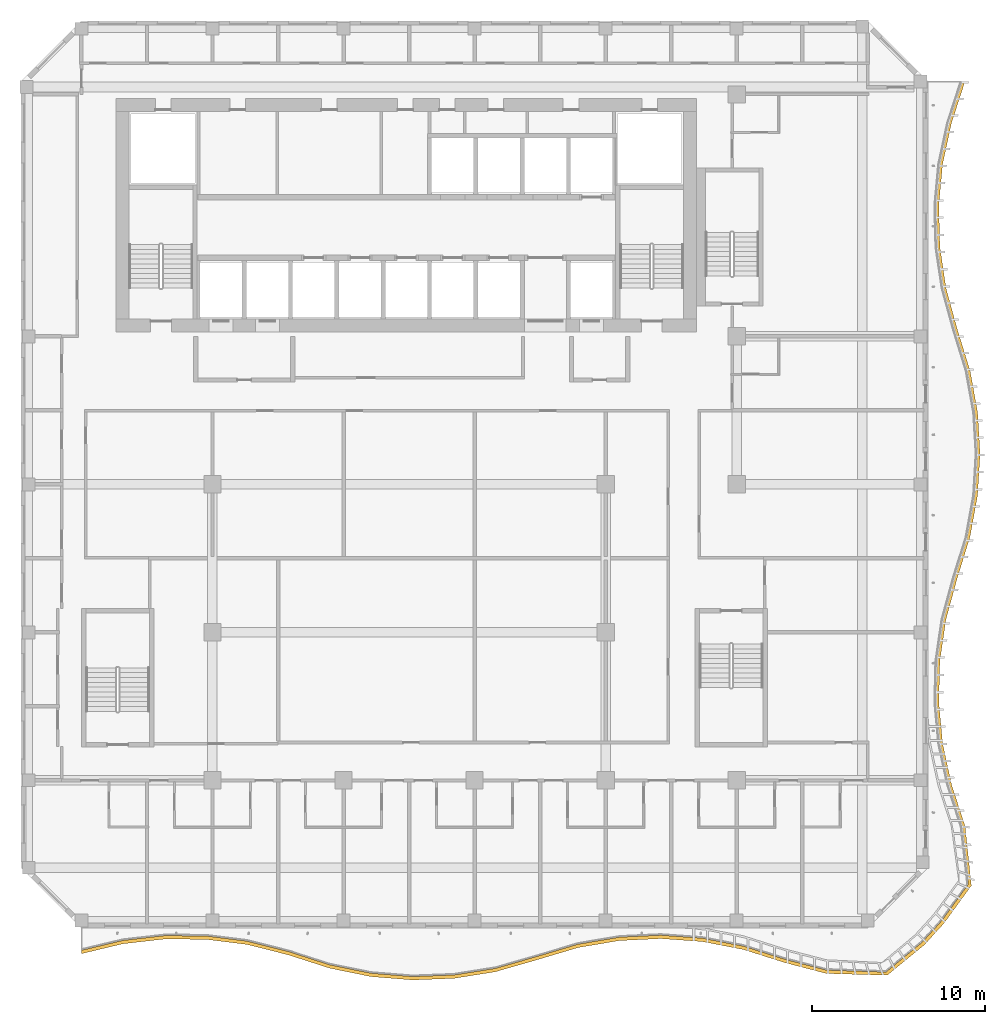
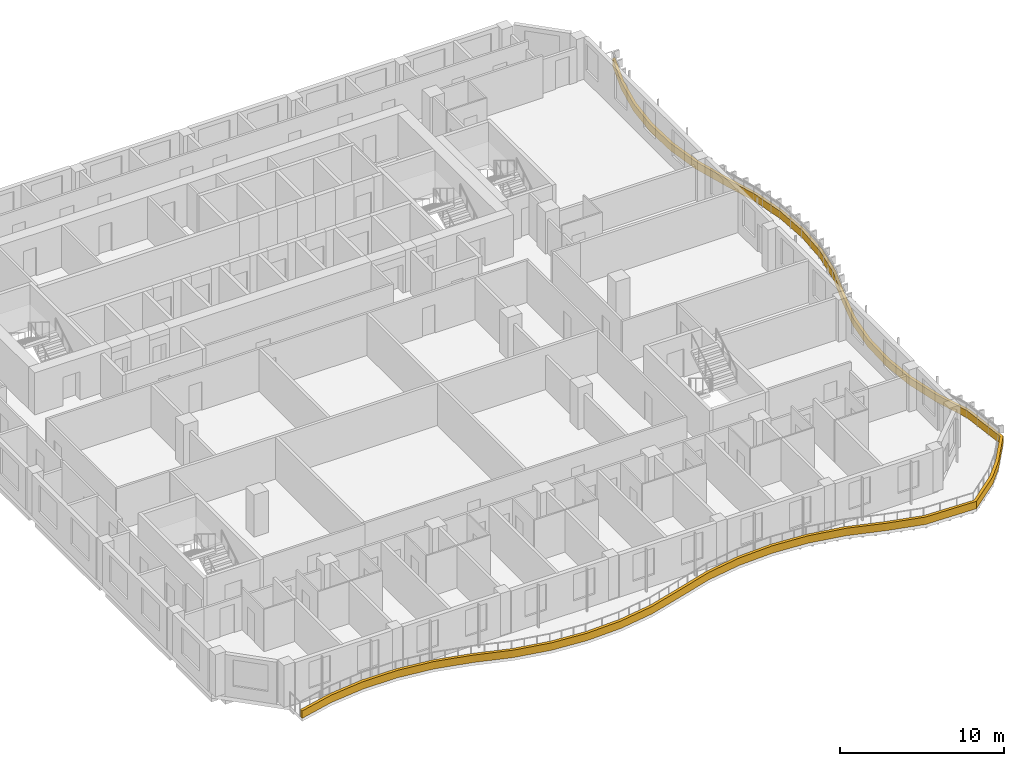
# One storey, part 17 of 23: 1 shading device.
"""IFC4 building model written with IfcOpenShell, lengths in metres."""

from ifc_helpers import new_model, si_unit, direction, frame, origin, place, context, subcontext, project, spatial, polyline, outline, extrude, source, transform, mapped, material, layer, layer_set, type_object, element, save


model = new_model("IFC4")

# Units and contexts
model_context = context("Model", 3, precision=1e-05, world=origin(), true_north=direction((0.0, 1.0)))
body_context = subcontext(model_context, "Body", "Model", "MODEL_VIEW")
ifc_project = project(units=[si_unit("LENGTHUNIT", "METRE"), si_unit("AREAUNIT", "SQUARE_METRE"), si_unit("VOLUMEUNIT", "CUBIC_METRE"), si_unit("PLANEANGLEUNIT", "RADIAN"), si_unit("MASSUNIT", "GRAM", prefix="KILO")], contexts=[model_context])

# Site, building, storey
site_placement = place(None, origin())
site = spatial("IfcSite", under=ifc_project, at=site_placement, CompositionType="ELEMENT")
building_placement = place(site_placement, origin())
building = spatial("IfcBuilding", under=site, at=building_placement, Name="Kilnfold Tower and Market Hall", CompositionType="ELEMENT")
storey_placement = place(building_placement, frame((0.0, 0.0, 203.300048828125)))
storey = spatial("IfcBuildingStorey", under=building, at=storey_placement, Name="L49", CompositionType="ELEMENT", Elevation=203.300048828125)

# Shading device
ifc_material = material(Name="Precast concrete C50/60", Category="concrete")
ifc_layer = layer(ifc_material, 0.550048828125)
ifc_layer_set = layer_set([ifc_layer], Name="Precast concrete C50/60")
shading_device_type = type_object("IfcShadingDeviceType", Name="BALCONY UPSTAND 550", PredefinedType="USERDEFINED", material=ifc_layer_set)
shared_shape = source(origin(), body_context, "Body", "SweptSolid", [
    extrude(outline(polyline([(-17.75, -27.724365234375), (-15.355224609375, -27.15234375), (-12.96044921875, -26.879150390625), (-10.56591796875, -26.892578125), (-8.171142578125, -27.193115234375), (-5.7763671875, -27.794189453125), (-3.381591796875, -28.564697265625), (-0.98681640625, -29.052001953125), (1.407958984375, -29.24560546875), (3.802490234375, -29.153564453125), (6.197509765625, -28.77197265625), (8.592041015625, -28.08349609375), (10.98681640625, -27.370361328125), (13.381591796875, -26.9658203125), (15.7763671875, -26.851318359375), (18.171142578125, -27.0224609375), (20.56591796875, -27.486572265625), (22.96044921875, -28.245849609375), (25.355224609375, -28.871337890625), (28.876708984375, -28.97021484375), (31.03759765625, -27.2041015625), (32.1474609375, -25.98095703125), (33.746337890625, -23.783935546875), (33.383544921875, -20.355224609375), (32.60400390625, -17.96044921875), (32.084716796875, -15.56591796875), (31.861328125, -13.171142578125), (31.923583984375, -10.7763671875), (32.2744140625, -8.381591796875), (32.929443359375, -5.98681640625), (33.669921875, -3.592041015625), (34.105712890625, -1.197509765625), (34.25, 1.197509765625), (34.10888671875, 3.592041015625), (33.67626953125, 5.98681640625), (32.938232421875, 8.381591796875), (32.279541015625, 10.7763671875), (31.92578125, 13.171142578125), (31.8603515625, 15.56591796875), (32.080810546875, 17.96044921875), (32.5966796875, 20.355224609375), (33.37548828125, 22.75), (33.175537109375, 22.75), (32.396728515625, 20.355224609375), (31.880859375, 17.96044921875), (31.660400390625, 15.56591796875), (31.7255859375, 13.171142578125), (32.07958984375, 10.7763671875), (32.73828125, 8.381591796875), (33.476318359375, 5.98681640625), (33.908935546875, 3.592041015625), (34.050048828125, 1.197509765625), (33.90576171875, -1.197509765625), (33.469970703125, -3.592041015625), (32.7294921875, -5.98681640625), (32.07421875, -8.381591796875), (31.723388671875, -10.7763671875), (31.661376953125, -13.171142578125), (31.884765625, -15.56591796875), (32.404052734375, -17.96044921875), (33.18359375, -20.355224609375), (33.5615234375, -23.70751953125), (32.006103515625, -25.839599609375), (30.896240234375, -27.062744140625), (28.80029296875, -28.785400390625), (25.355224609375, -28.67138671875), (22.96044921875, -28.0458984375), (20.56591796875, -27.28662109375), (18.171142578125, -26.822509765625), (15.7763671875, -26.6513671875), (13.381591796875, -26.765625), (10.98681640625, -27.17041015625), (8.592041015625, -27.88330078125), (6.197509765625, -28.572021484375), (3.802490234375, -28.95361328125), (1.407958984375, -29.04541015625), (-0.98681640625, -28.85205078125), (-3.381591796875, -28.36474609375), (-5.7763671875, -27.59423828125), (-8.171142578125, -26.9931640625), (-10.56591796875, -26.692626953125), (-12.96044921875, -26.67919921875), (-15.355224609375, -26.952392578125), (-17.75, -27.5244140625), (-17.75, -27.724365234375)])), origin(), (0.0, 0.0, 1.0), 0.550048828125),
])
shading_device_placement = place(storey_placement, origin())
element("IfcShadingDevice", 1, at=shading_device_placement, inside=storey, type_object=shading_device_type, Name="Balcony fascia L49", ObjectType="FASCIA", PredefinedType="USERDEFINED", context=body_context, shape_type="MappedRepresentation", body=[
    mapped(shared_shape, transform((0.0, 0.0, 0.0))),
])

save(model, "model.ifc")
